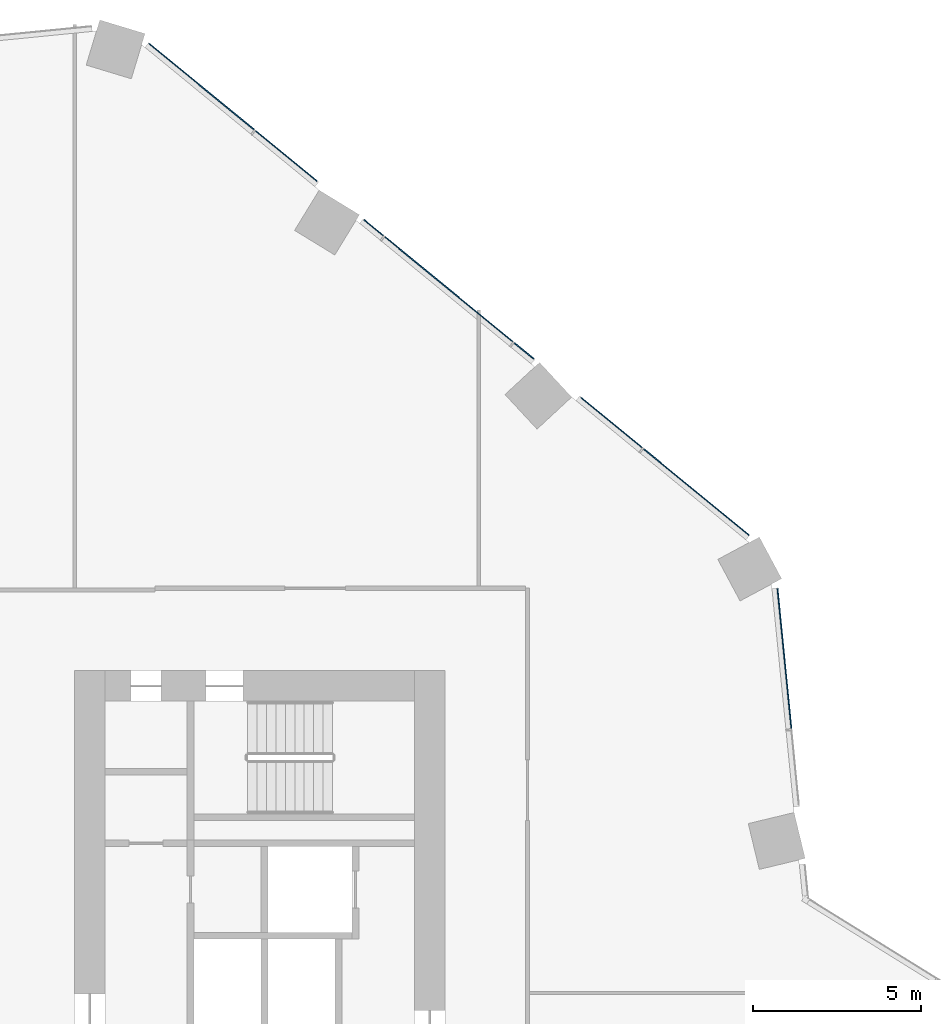
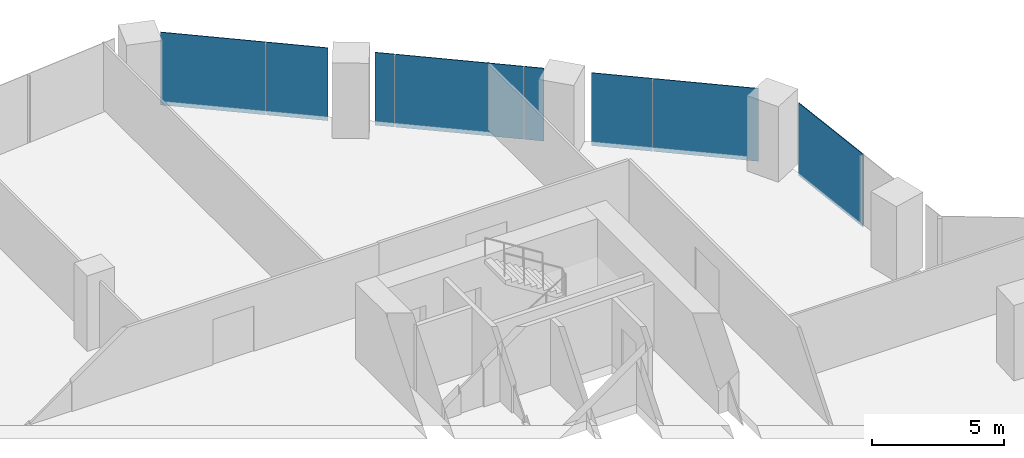
# One storey, part 26 of 34: 8 plates, 2 elements without a shape of their own.
"""IFC4 building model written with IfcOpenShell, lengths in metres."""

from ifc_helpers import new_model, si_unit, direction, frame, origin, origin_2d, place, context, subcontext, project, spatial, rectangle, extrude, material, layer, layer_set, type_object, element, aggregate, save


model = new_model("IFC4")

# Units and contexts
model_context = context("Model", 3, precision=1e-05, world=origin(), true_north=direction((0.0, 1.0)))
body_context = subcontext(model_context, "Body", "Model", "MODEL_VIEW")
ifc_project = project(units=[si_unit("LENGTHUNIT", "METRE"), si_unit("AREAUNIT", "SQUARE_METRE"), si_unit("VOLUMEUNIT", "CUBIC_METRE"), si_unit("PLANEANGLEUNIT", "RADIAN"), si_unit("MASSUNIT", "GRAM", prefix="KILO")], contexts=[model_context])

# Site, building, storey
site_placement = place(None, origin())
site = spatial("IfcSite", under=ifc_project, at=site_placement, CompositionType="ELEMENT")
building_placement = place(site_placement, origin())
building = spatial("IfcBuilding", under=site, at=building_placement, Name="Orlundy Tower", CompositionType="ELEMENT")
storey_placement = place(building_placement, frame((0.0, 0.0, 40.800048828125)))
storey = spatial("IfcBuildingStorey", under=building, at=storey_placement, Name="L08", CompositionType="ELEMENT", Elevation=40.800048828125)

# Curtain wall, plates
ifc_material_1 = material(Name="Aluminium bronze anodised", Category="aluminium")
curtain_wall_type = type_object("IfcCurtainWallType", Name="CW1 wall", PredefinedType="NOTDEFINED", material=ifc_material_1)
curtain_wall_1_placement = place(storey_placement, origin())
curtain_wall_1 = element("IfcCurtainWall", 1, at=curtain_wall_1_placement, inside=storey, type_object=curtain_wall_type, Name="CW1 run 04", PredefinedType="NOTDEFINED")
ifc_material_2 = material(Name="Tinted glass", Category="glass")
ifc_layer = layer(ifc_material_2, 0.031982421875)
ifc_layer_set = layer_set([ifc_layer], Name="CW1 glass panel 32")
plate_type = type_object("IfcPlateType", Name="CW1 glass panel 32", PredefinedType="CURTAIN_PANEL", material=ifc_layer_set)
plate_1_placement = place(storey_placement, frame((11.77001953125, 29.3525390625, -0.300048828125), z_axis=(0.0, 0.0, 1.0), x_axis=(0.773482002143, -0.633818264458, 0.0)))
plate_1 = element("IfcPlate", 2, at=plate_1_placement, type_object=plate_type, Name="CW1 panel", PredefinedType="CURTAIN_PANEL", context=body_context, shape_type="SweptSolid", body=[
    extrude(rectangle(XDim=4.039306640625, YDim=0.031982421875, at=origin_2d()), origin(), (0.0, 0.0, 1.0), 3.3798828125),
])
plate_2_placement = place(storey_placement, frame((14.28271484375, 27.29345703125, -0.300048828125), z_axis=(0.0, 0.0, 1.0), x_axis=(0.773482002143, -0.633818264458, 0.0)))
plate_2 = element("IfcPlate", 3, at=plate_2_placement, type_object=plate_type, Name="CW1 panel", PredefinedType="CURTAIN_PANEL", context=body_context, shape_type="SweptSolid", body=[
    extrude(rectangle(XDim=2.35791015625, YDim=0.031982421875, at=origin_2d()), origin(), (0.0, 0.0, 1.0), 3.3798828125),
])
plate_3_placement = place(storey_placement, frame((16.888427734375, 25.158203125, -0.300048828125), z_axis=(0.0, 0.0, 1.0), x_axis=(0.773482002143, -0.633818264458, 0.0)))
plate_3 = element("IfcPlate", 4, at=plate_3_placement, type_object=plate_type, Name="CW1 panel", PredefinedType="CURTAIN_PANEL", context=body_context, shape_type="SweptSolid", body=[
    extrude(rectangle(XDim=0.74560546875, YDim=0.031982421875, at=origin_2d()), origin(), (0.0, 0.0, 1.0), 3.3798828125),
])
plate_4_placement = place(storey_placement, frame((19.118408203125, 23.330810546875, -0.300048828125), z_axis=(0.0, 0.0, 1.0), x_axis=(0.773482002143, -0.633818264458, 0.0)))
plate_4 = element("IfcPlate", 5, at=plate_4_placement, type_object=plate_type, Name="CW1 panel", PredefinedType="CURTAIN_PANEL", context=body_context, shape_type="SweptSolid", body=[
    extrude(rectangle(XDim=4.92041015625, YDim=0.031982421875, at=origin_2d()), origin(), (0.0, 0.0, 1.0), 3.3798828125),
])
plate_5_placement = place(storey_placement, frame((21.3486328125, 21.50341796875, -0.300048828125), z_axis=(0.0, 0.0, 1.0), x_axis=(0.773482002143, -0.633818264458, 0.0)))
plate_5 = element("IfcPlate", 6, at=plate_5_placement, type_object=plate_type, Name="CW1 panel", PredefinedType="CURTAIN_PANEL", context=body_context, shape_type="SweptSolid", body=[
    extrude(rectangle(XDim=0.74609375, YDim=0.031982421875, at=origin_2d()), origin(), (0.0, 0.0, 1.0), 3.3798828125),
])
plate_6_placement = place(storey_placement, frame((23.954345703125, 19.3681640625, -0.300048828125), z_axis=(0.0, 0.0, 1.0), x_axis=(0.773482002143, -0.633818264458, 0.0)))
plate_6 = element("IfcPlate", 7, at=plate_6_placement, type_object=plate_type, Name="CW1 panel", PredefinedType="CURTAIN_PANEL", context=body_context, shape_type="SweptSolid", body=[
    extrude(rectangle(XDim=2.357421875, YDim=0.031982421875, at=origin_2d()), origin(), (0.0, 0.0, 1.0), 3.3798828125),
])
plate_7_placement = place(storey_placement, frame((26.467041015625, 17.30908203125, -0.300048828125), z_axis=(0.0, 0.0, 1.0), x_axis=(0.773482002143, -0.633818264458, 0.0)))
plate_7 = element("IfcPlate", 8, at=plate_7_placement, type_object=plate_type, Name="CW1 panel", PredefinedType="CURTAIN_PANEL", context=body_context, shape_type="SweptSolid", body=[
    extrude(rectangle(XDim=4.0400390625, YDim=0.031982421875, at=origin_2d()), origin(), (0.0, 0.0, 1.0), 3.3798828125),
])
aggregate(curtain_wall_1, [plate_1, plate_2, plate_3, plate_4, plate_5, plate_6, plate_7])

# Curtain wall, plate
curtain_wall_2_placement = place(storey_placement, origin())
curtain_wall_2 = element("IfcCurtainWall", 9, at=curtain_wall_2_placement, inside=storey, type_object=curtain_wall_type, Name="CW1 run 05", PredefinedType="NOTDEFINED")
plate_8_placement = place(storey_placement, frame((29.08544921875, 12.358642578125, -0.300048828125), z_axis=(0.0, 0.0, 1.0), x_axis=(0.098758968204, -0.995111383815, 0.0)))
plate_8 = element("IfcPlate", 10, at=plate_8_placement, type_object=plate_type, Name="CW1 panel", PredefinedType="CURTAIN_PANEL", context=body_context, shape_type="SweptSolid", body=[
    extrude(rectangle(XDim=4.1865234375, YDim=0.031982421875, at=origin_2d()), origin(), (0.0, 0.0, 1.0), 3.3798828125),
])
aggregate(curtain_wall_2, [plate_8])

save(model, "model.ifc")
